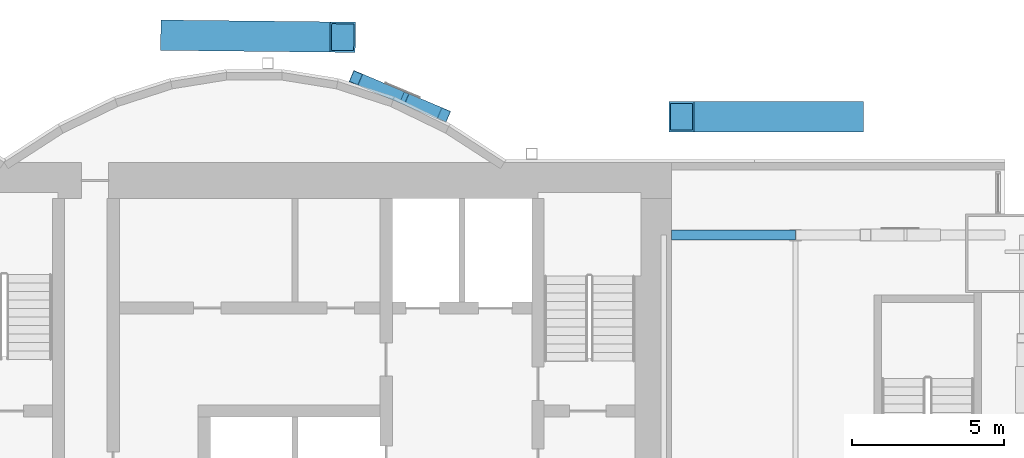
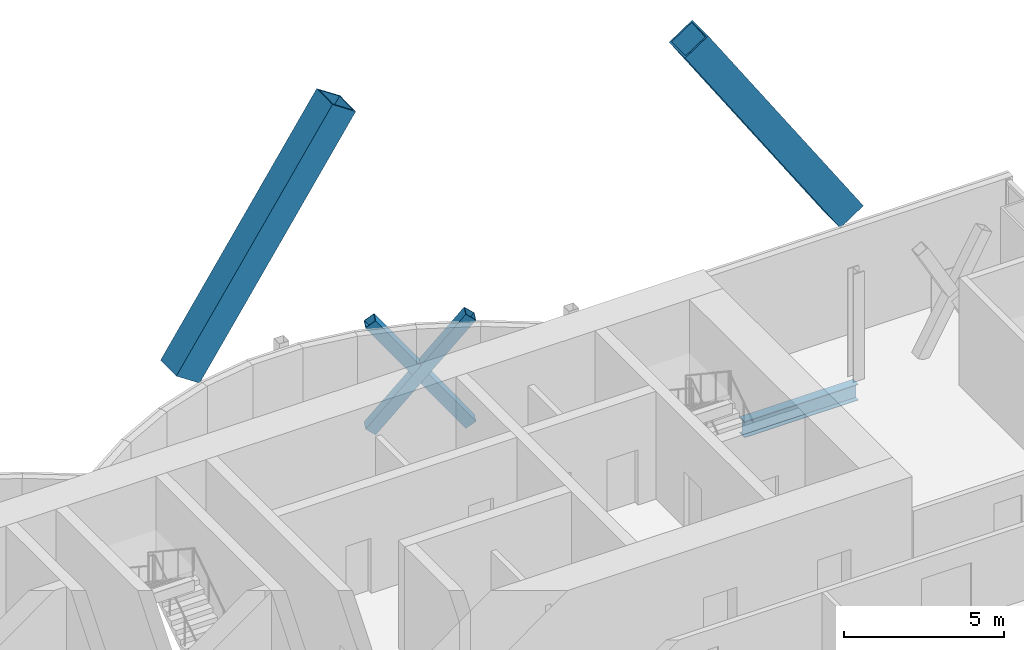
# One storey, part 12 of 22: 5 members, 1 beam.
"""IFC4 building model written with IfcOpenShell, lengths in metres."""

from ifc_helpers import new_model, si_unit, direction, frame, origin, origin_2d, place, context, subcontext, project, spatial, hollow_rectangle, i_section, extrude, material, material_profile, profile_set, type_object, element, save


model = new_model("IFC4")

# Units and contexts
model_context = context("Model", 3, precision=1e-05, world=origin(), true_north=direction((0.0, 1.0)))
body_context = subcontext(model_context, "Body", "Model", "MODEL_VIEW")
ifc_project = project(units=[si_unit("LENGTHUNIT", "METRE"), si_unit("AREAUNIT", "SQUARE_METRE"), si_unit("VOLUMEUNIT", "CUBIC_METRE"), si_unit("PLANEANGLEUNIT", "RADIAN"), si_unit("MASSUNIT", "GRAM", prefix="KILO")], contexts=[model_context])

# Site, building, storey
site_placement = place(None, origin())
site = spatial("IfcSite", under=ifc_project, at=site_placement, CompositionType="ELEMENT")
building_placement = place(site_placement, origin())
building = spatial("IfcBuilding", under=site, at=building_placement, Name="Bicima Exchange Tower", CompositionType="ELEMENT")
storey_placement = place(building_placement, frame((0.0, 0.0, 144.5)))
storey = spatial("IfcBuildingStorey", under=building, at=storey_placement, Name="L31", CompositionType="ELEMENT", Elevation=144.5)

# Members
ifc_material_1 = material(Name="Steel ASTM A572 Gr 50", Category="steel")
ifc_material_profile_1 = material_profile(ifc_material_1, hollow_rectangle(XDim=1.0, YDim=1.0, WallThickness=0.06005859375, at=origin_2d()))
ifc_profile_set_1 = profile_set([ifc_material_profile_1], Name="Steel ASTM A572 Gr 50")
member_type_1 = type_object("IfcMemberType", Name="Exo mega brace BOX 1000x1000x60", PredefinedType="BRACE", material=ifc_profile_set_1)
member_1_placement = place(storey_placement, frame((5.583251953125, 4.1865234375, 3.416748046875), z_axis=(0.552803101452, -0.006091227878, 0.833289642302), x_axis=(0.011018133066, 0.99993929853, 0.0)))
element("IfcMember", 1, at=member_1_placement, inside=storey, type_object=member_type_1, Name="Exo mega brace rear", PredefinedType="BRACE", context=body_context, shape_type="SweptSolid", body=[
    extrude(hollow_rectangle(XDim=1.0, YDim=1.0, WallThickness=0.06005859375, at=origin_2d()), origin(), (0.0, 0.0, 1.0), 10.100341796875),
])
member_2_placement = place(storey_placement, frame((27.916748046875, 1.5, 3.416748046875), z_axis=(-0.55281335708, 0.0, 0.833305101529), x_axis=(0.0, -1.0, 0.0)))
element("IfcMember", 2, at=member_2_placement, inside=storey, type_object=member_type_1, Name="Exo mega brace rear", PredefinedType="BRACE", context=body_context, shape_type="SweptSolid", body=[
    extrude(hollow_rectangle(XDim=1.0, YDim=1.0, WallThickness=0.06005859375, at=origin_2d()), origin(), (0.0, 0.0, 1.0), 10.10009765625),
])
ifc_material_profile_2 = material_profile(ifc_material_1, hollow_rectangle(XDim=0.406494140625, YDim=0.406494140625, WallThickness=0.017822265625, at=origin_2d()))
ifc_profile_set_2 = profile_set([ifc_material_profile_2], Name="Steel ASTM A572 Gr 50")
member_type_2 = type_object("IfcMemberType", Name="Mega brace HSS16x16x3/4", PredefinedType="BRACE", material=ifc_profile_set_2)
member_3_placement = place(storey_placement, frame((11.60009765625, 2.783203125, 0.0), z_axis=(0.560941150383, -0.237353950314, 0.793100326615), x_axis=(0.389685518438, 0.920947988064, 0.0)))
element("IfcMember", 3, at=member_3_placement, inside=storey, type_object=member_type_2, Name="Mega brace rexo", PredefinedType="BRACE", context=body_context, shape_type="SweptSolid", body=[
    extrude(hollow_rectangle(XDim=0.406494140625, YDim=0.406494140625, WallThickness=0.017822265625, at=origin_2d()), origin(), (0.0, 0.0, 1.0), 5.169677734375),
])
for number, where, z_axis, x_axis, name in (
    (4, (14.5, 1.55615234375, 0.0), (-0.5609019264, 0.237404536868, 0.793112926912), (-0.389779070565, -0.920908397263, 0.0), "Mega brace rexo"),
    (5, (12.97119140625, 2.203125, 2.161376953125), (-0.560915223589, 0.237310286903, 0.793131729082), (-0.389639990837, -0.920967251069, 0.0), "Mega brace rexo"),
):
    element("IfcMember", number, at=place(storey_placement, frame(where, z_axis=z_axis, x_axis=x_axis)), inside=storey, type_object=member_type_2, Name=name, PredefinedType="BRACE", context=body_context, shape_type="SweptSolid", body=[
        extrude(hollow_rectangle(XDim=0.406494140625, YDim=0.406494140625, WallThickness=0.017822265625, at=origin_2d()), origin(), (0.0, 0.0, 1.0), 2.4443359375),
    ])

# Beam
ifc_material_2 = material(Name="Steel ASTM A992 Gr 50", Category="steel")
ifc_material_profile_3 = material_profile(ifc_material_2, i_section(OverallWidth=0.3251953125, OverallDepth=0.612060546875, WebThickness=0.0126953125, FlangeThickness=0.01904296875, at=origin_2d()))
ifc_profile_set_3 = profile_set([ifc_material_profile_3], Name="Steel ASTM A992 Gr 50")
beam_type = type_object("IfcBeamType", Name="Rear girder W24x104", PredefinedType="BEAM", material=ifc_profile_set_3)
beam_placement = place(storey_placement, frame((22.0, -2.39990234375, -0.4560546875), z_axis=(1.0, 0.0, 0.0), x_axis=(0.0, 1.0, 0.0)))
element("IfcBeam", 6, at=beam_placement, inside=storey, type_object=beam_type, Name="Rear girder", PredefinedType="BEAM", context=body_context, shape_type="SweptSolid", body=[
    extrude(i_section(OverallWidth=0.3251953125, OverallDepth=0.612060546875, WebThickness=0.0126953125, FlangeThickness=0.01904296875, at=origin_2d()), origin(), (0.0, 0.0, 1.0), 4.10009765625),
])

save(model, "model.ifc")
